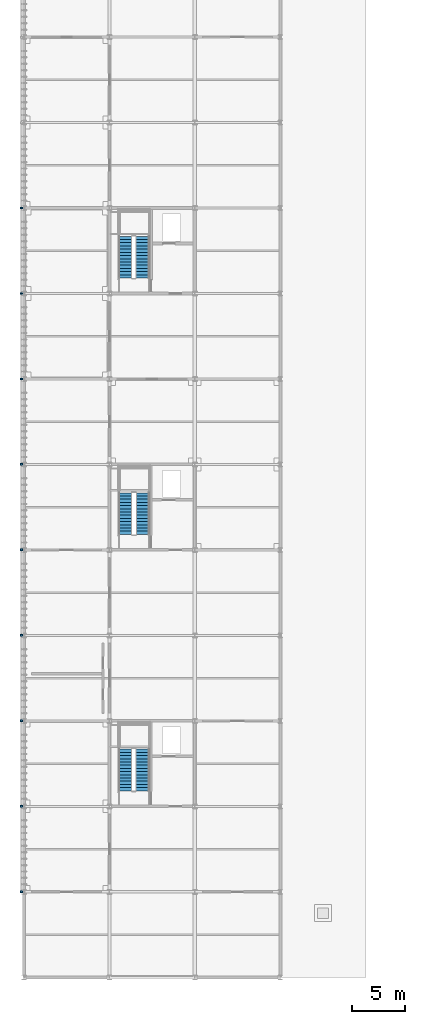
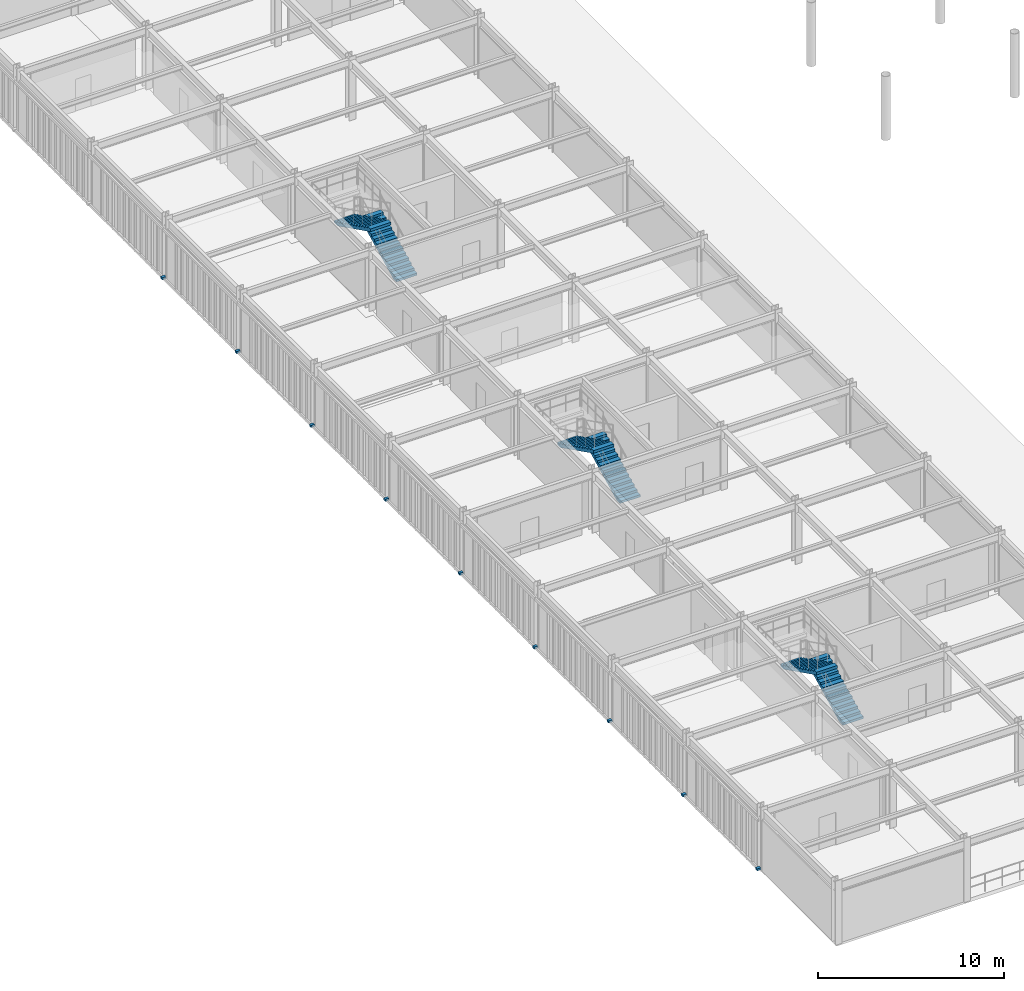
# One storey, part 46 of 54: 9 discrete accessories, 6 stair flights, 3 elements without a shape of their own.
"""IFC4 building model written with IfcOpenShell, lengths in metres."""

from ifc_helpers import new_model, si_unit, direction, frame, origin, origin_2d, place, context, subcontext, project, spatial, polyline, rectangle, outline, extrude, material, layer, layer_set, type_object, element, aggregate, save


model = new_model("IFC4")

# Units and contexts
model_context = context("Model", 3, precision=1e-05, world=origin(), true_north=direction((0.0, 1.0)))
body_context = subcontext(model_context, "Body", "Model", "MODEL_VIEW")
ifc_project = project(units=[si_unit("LENGTHUNIT", "METRE"), si_unit("AREAUNIT", "SQUARE_METRE"), si_unit("VOLUMEUNIT", "CUBIC_METRE"), si_unit("PLANEANGLEUNIT", "RADIAN"), si_unit("MASSUNIT", "GRAM", prefix="KILO")], contexts=[model_context])

# Site, building, storey
site_placement = place(None, origin())
site = spatial("IfcSite", under=ifc_project, at=site_placement, CompositionType="ELEMENT")
building_placement = place(site_placement, origin())
building = spatial("IfcBuilding", under=site, at=building_placement, Name="Haebicheon Civic Stadium", CompositionType="ELEMENT")
storey_placement = place(building_placement, frame((0.0, 0.0, 22.800048828125)))
storey = spatial("IfcBuildingStorey", under=building, at=storey_placement, Name="L06", CompositionType="ELEMENT", Elevation=22.800048828125)

# Stair, stair flights
ifc_material_1 = material(Name="Concrete C40/50", Category="concrete")
stair_type_1 = type_object("IfcStairType", Name="STR-DL-W126-H42", PredefinedType="HALF_TURN_STAIR", material=ifc_material_1)
stair_1_placement = place(storey_placement, origin())
stair_1 = element("IfcStair", 1, at=stair_1_placement, inside=storey, type_object=stair_type_1, material=ifc_material_1, Name="L06 Escape stair ST-03", PredefinedType="HALF_TURN_STAIR")
ifc_material_2 = material(Name="Concrete C40/50", Category="concrete")
stair_flight_type_1 = type_object("IfcStairFlightType", Name="STF-DL-W126-H42", PredefinedType="STRAIGHT", material=ifc_material_2)
stair_flight_1_placement = place(storey_placement, frame((35.110107421875, 81.449951171875, 0.0), z_axis=(0.0, 0.0, 1.0), x_axis=(0.0, 1.0, 0.0)))
stair_flight_1 = element("IfcStairFlight", 2, at=stair_flight_1_placement, type_object=stair_flight_type_1, material=ifc_material_2, Name="ST-03 flight 1", NumberOfRisers=14, NumberOfTreads=13, PredefinedType="STRAIGHT", RiserHeight=0.15, TreadLength=0.3, context=body_context, shape_type="SweptSolid", body=[
    extrude(outline(polyline([(0.0, 0.0), (0.0, 0.14990234375), (0.300048828125, 0.14990234375), (0.300048828125, 0.300048828125), (0.60009765625, 0.300048828125), (0.60009765625, 0.449951171875), (0.89990234375, 0.449951171875), (0.89990234375, 0.60009765625), (1.199951171875, 0.60009765625), (1.199951171875, 0.75), (1.5, 0.75), (1.5, 0.89990234375), (1.800048828125, 0.89990234375), (1.800048828125, 1.050048828125), (2.10009765625, 1.050048828125), (2.10009765625, 1.199951171875), (2.39990234375, 1.199951171875), (2.39990234375, 1.35009765625), (2.699951171875, 1.35009765625), (2.699951171875, 1.5), (3.0, 1.5), (3.0, 1.64990234375), (3.300048828125, 1.64990234375), (3.300048828125, 1.800048828125), (3.60009765625, 1.800048828125), (3.60009765625, 1.949951171875), (3.89990234375, 1.949951171875), (3.89990234375, 2.10009765625), (3.89990234375, 1.771240234375), (0.357666015625, 0.0), (0.0, 0.0)])), frame((0.0, 0.6298828125, 0.0), z_axis=(0.0, -1.0, 0.0), x_axis=(1.0, 0.0, 0.0)), (0.0, 0.0, 1.0), 1.260009765625),
])
stair_flight_2_placement = place(storey_placement, frame((33.469970703125, 85.35009765625, 2.099853515625), z_axis=(0.0, 0.0, 1.0), x_axis=(0.0, -1.0, 0.0)))
stair_flight_2 = element("IfcStairFlight", 3, at=stair_flight_2_placement, type_object=stair_flight_type_1, material=ifc_material_2, Name="ST-03 flight 2", NumberOfRisers=14, NumberOfTreads=13, PredefinedType="STRAIGHT", RiserHeight=0.15, TreadLength=0.3, context=body_context, shape_type="SweptSolid", body=[
    extrude(outline(polyline([(0.0, 0.0), (0.0, 0.14990234375), (0.300048828125, 0.14990234375), (0.300048828125, 0.300048828125), (0.60009765625, 0.300048828125), (0.60009765625, 0.449951171875), (0.89990234375, 0.449951171875), (0.89990234375, 0.60009765625), (1.199951171875, 0.60009765625), (1.199951171875, 0.75), (1.5, 0.75), (1.5, 0.89990234375), (1.800048828125, 0.89990234375), (1.800048828125, 1.050048828125), (2.10009765625, 1.050048828125), (2.10009765625, 1.199951171875), (2.39990234375, 1.199951171875), (2.39990234375, 1.35009765625), (2.699951171875, 1.35009765625), (2.699951171875, 1.5), (3.0, 1.5), (3.0, 1.64990234375), (3.300048828125, 1.64990234375), (3.300048828125, 1.800048828125), (3.60009765625, 1.800048828125), (3.60009765625, 1.949951171875), (3.89990234375, 1.949951171875), (3.89990234375, 2.10009765625), (3.89990234375, 1.771240234375), (0.357666015625, 0.0), (0.0, 0.0)])), frame((0.0, 0.6298828125, 0.0), z_axis=(0.0, -1.0, 0.0), x_axis=(1.0, 0.0, 0.0)), (0.0, 0.0, 1.0), 1.260009765625),
])
aggregate(stair_1, [stair_flight_1, stair_flight_2])

ifc_material_3 = material(Name="Concrete C40/50", Category="concrete")
stair_type_2 = type_object("IfcStairType", Name="STR-DL-W128-H42", PredefinedType="HALF_TURN_STAIR", material=ifc_material_3)
stair_2_placement = place(storey_placement, origin())
stair_2 = element("IfcStair", 4, at=stair_2_placement, inside=storey, type_object=stair_type_2, material=ifc_material_3, Name="L06 Escape stair ST-02", PredefinedType="HALF_TURN_STAIR")
ifc_material_4 = material(Name="Concrete C40/50", Category="concrete")
stair_flight_type_2 = type_object("IfcStairFlightType", Name="STF-DL-W128-H42", PredefinedType="STRAIGHT", material=ifc_material_4)
stair_flight_3_placement = place(storey_placement, frame((35.10009765625, 57.449951171875, 0.0), z_axis=(0.0, 0.0, 1.0), x_axis=(0.0, 1.0, 0.0)))
stair_flight_3 = element("IfcStairFlight", 5, at=stair_flight_3_placement, type_object=stair_flight_type_2, material=ifc_material_4, Name="ST-02 flight 1", NumberOfRisers=14, NumberOfTreads=13, PredefinedType="STRAIGHT", RiserHeight=0.15, TreadLength=0.3, context=body_context, shape_type="SweptSolid", body=[
    extrude(outline(polyline([(0.0, 0.0), (0.0, 0.14990234375), (0.300048828125, 0.14990234375), (0.300048828125, 0.300048828125), (0.60009765625, 0.300048828125), (0.60009765625, 0.449951171875), (0.89990234375, 0.449951171875), (0.89990234375, 0.60009765625), (1.199951171875, 0.60009765625), (1.199951171875, 0.75), (1.5, 0.75), (1.5, 0.89990234375), (1.800048828125, 0.89990234375), (1.800048828125, 1.050048828125), (2.10009765625, 1.050048828125), (2.10009765625, 1.199951171875), (2.39990234375, 1.199951171875), (2.39990234375, 1.35009765625), (2.699951171875, 1.35009765625), (2.699951171875, 1.5), (3.0, 1.5), (3.0, 1.64990234375), (3.300048828125, 1.64990234375), (3.300048828125, 1.800048828125), (3.60009765625, 1.800048828125), (3.60009765625, 1.949951171875), (3.89990234375, 1.949951171875), (3.89990234375, 2.10009765625), (3.89990234375, 1.771240234375), (0.357666015625, 0.0), (0.0, 0.0)])), frame((0.0, 0.64013671875, 0.0), z_axis=(0.0, -1.0, 0.0), x_axis=(1.0, 0.0, 0.0)), (0.0, 0.0, 1.0), 1.280029296875),
])
stair_flight_4_placement = place(storey_placement, frame((33.47998046875, 61.35009765625, 2.099853515625), z_axis=(0.0, 0.0, 1.0), x_axis=(0.0, -1.0, 0.0)))
stair_flight_4 = element("IfcStairFlight", 6, at=stair_flight_4_placement, type_object=stair_flight_type_2, material=ifc_material_4, Name="ST-02 flight 2", NumberOfRisers=14, NumberOfTreads=13, PredefinedType="STRAIGHT", RiserHeight=0.15, TreadLength=0.3, context=body_context, shape_type="SweptSolid", body=[
    extrude(outline(polyline([(0.0, 0.0), (0.0, 0.14990234375), (0.300048828125, 0.14990234375), (0.300048828125, 0.300048828125), (0.60009765625, 0.300048828125), (0.60009765625, 0.449951171875), (0.89990234375, 0.449951171875), (0.89990234375, 0.60009765625), (1.199951171875, 0.60009765625), (1.199951171875, 0.75), (1.5, 0.75), (1.5, 0.89990234375), (1.800048828125, 0.89990234375), (1.800048828125, 1.050048828125), (2.10009765625, 1.050048828125), (2.10009765625, 1.199951171875), (2.39990234375, 1.199951171875), (2.39990234375, 1.35009765625), (2.699951171875, 1.35009765625), (2.699951171875, 1.5), (3.0, 1.5), (3.0, 1.64990234375), (3.300048828125, 1.64990234375), (3.300048828125, 1.800048828125), (3.60009765625, 1.800048828125), (3.60009765625, 1.949951171875), (3.89990234375, 1.949951171875), (3.89990234375, 2.10009765625), (3.89990234375, 1.771240234375), (0.357666015625, 0.0), (0.0, 0.0)])), frame((0.0, 0.64013671875, 0.0), z_axis=(0.0, -1.0, 0.0), x_axis=(1.0, 0.0, 0.0)), (0.0, 0.0, 1.0), 1.280029296875),
])
aggregate(stair_2, [stair_flight_3, stair_flight_4])

stair_3_placement = place(storey_placement, origin())
stair_3 = element("IfcStair", 7, at=stair_3_placement, inside=storey, type_object=stair_type_2, material=ifc_material_3, Name="L06 Escape stair ST-04", PredefinedType="HALF_TURN_STAIR")
stair_flight_5_placement = place(storey_placement, frame((35.10009765625, 105.449951171875, 0.0), z_axis=(0.0, 0.0, 1.0), x_axis=(0.0, 1.0, 0.0)))
stair_flight_5 = element("IfcStairFlight", 8, at=stair_flight_5_placement, type_object=stair_flight_type_2, material=ifc_material_4, Name="ST-04 flight 1", NumberOfRisers=14, NumberOfTreads=13, PredefinedType="STRAIGHT", RiserHeight=0.15, TreadLength=0.3, context=body_context, shape_type="SweptSolid", body=[
    extrude(outline(polyline([(0.0, 0.0), (0.0, 0.14990234375), (0.300048828125, 0.14990234375), (0.300048828125, 0.300048828125), (0.60009765625, 0.300048828125), (0.60009765625, 0.449951171875), (0.89990234375, 0.449951171875), (0.89990234375, 0.60009765625), (1.199951171875, 0.60009765625), (1.199951171875, 0.75), (1.5, 0.75), (1.5, 0.89990234375), (1.800048828125, 0.89990234375), (1.800048828125, 1.050048828125), (2.10009765625, 1.050048828125), (2.10009765625, 1.199951171875), (2.39990234375, 1.199951171875), (2.39990234375, 1.35009765625), (2.699951171875, 1.35009765625), (2.699951171875, 1.5), (3.0, 1.5), (3.0, 1.64990234375), (3.300048828125, 1.64990234375), (3.300048828125, 1.800048828125), (3.60009765625, 1.800048828125), (3.60009765625, 1.949951171875), (3.89990234375, 1.949951171875), (3.89990234375, 2.10009765625), (3.89990234375, 1.771240234375), (0.357666015625, 0.0), (0.0, 0.0)])), frame((0.0, 0.64013671875, 0.0), z_axis=(0.0, -1.0, 0.0), x_axis=(1.0, 0.0, 0.0)), (0.0, 0.0, 1.0), 1.280029296875),
])
stair_flight_6_placement = place(storey_placement, frame((33.47998046875, 109.35009765625, 2.099853515625), z_axis=(0.0, 0.0, 1.0), x_axis=(0.0, -1.0, 0.0)))
stair_flight_6 = element("IfcStairFlight", 9, at=stair_flight_6_placement, type_object=stair_flight_type_2, material=ifc_material_4, Name="ST-04 flight 2", NumberOfRisers=14, NumberOfTreads=13, PredefinedType="STRAIGHT", RiserHeight=0.15, TreadLength=0.3, context=body_context, shape_type="SweptSolid", body=[
    extrude(outline(polyline([(0.0, 0.0), (0.0, 0.14990234375), (0.300048828125, 0.14990234375), (0.300048828125, 0.300048828125), (0.60009765625, 0.300048828125), (0.60009765625, 0.449951171875), (0.89990234375, 0.449951171875), (0.89990234375, 0.60009765625), (1.199951171875, 0.60009765625), (1.199951171875, 0.75), (1.5, 0.75), (1.5, 0.89990234375), (1.800048828125, 0.89990234375), (1.800048828125, 1.050048828125), (2.10009765625, 1.050048828125), (2.10009765625, 1.199951171875), (2.39990234375, 1.199951171875), (2.39990234375, 1.35009765625), (2.699951171875, 1.35009765625), (2.699951171875, 1.5), (3.0, 1.5), (3.0, 1.64990234375), (3.300048828125, 1.64990234375), (3.300048828125, 1.800048828125), (3.60009765625, 1.800048828125), (3.60009765625, 1.949951171875), (3.89990234375, 1.949951171875), (3.89990234375, 2.10009765625), (3.89990234375, 1.771240234375), (0.357666015625, 0.0), (0.0, 0.0)])), frame((0.0, 0.64013671875, 0.0), z_axis=(0.0, -1.0, 0.0), x_axis=(1.0, 0.0, 0.0)), (0.0, 0.0, 1.0), 1.280029296875),
])
aggregate(stair_3, [stair_flight_5, stair_flight_6])

# Discrete accessories
ifc_material_5 = material(Name="Stainless steel 316", Category="steel")
ifc_layer = layer(ifc_material_5, 0.139892578125, Name="Stainless steel 316")
ifc_layer_set = layer_set([ifc_layer], Name="Stainless steel 316")
discrete_accessory_type = type_object("IfcDiscreteAccessoryType", Name="BRK-LVR-CLEAT", PredefinedType="BRACKET", material=ifc_layer_set)
for number, where, z_axis, x_axis, name in (
    (10, (23.756103515625, 48.0, 0.009765625), (0.0, 0.0, 1.0), (1.0, 0.0, 0.0), "SCR-WEST L06 stainless bracket cleat 1A"),
    (11, (23.756103515625, 56.0, 0.009765625), (0.0, 0.0, 1.0), (1.0, 0.0, 0.0), "SCR-WEST L06 stainless bracket cleat 1B"),
    (12, (23.756103515625, 64.0, 0.009765625), (0.0, 0.0, 1.0), (1.0, 0.0, 0.0), "SCR-WEST L06 stainless bracket cleat 2B"),
    (13, (23.756103515625, 72.0, 0.009765625), (0.0, 0.0, 1.0), (1.0, 0.0, 0.0), "SCR-WEST L06 stainless bracket cleat 3B"),
    (14, (23.756103515625, 80.0, 0.009765625), (0.0, 0.0, 1.0), (1.0, 0.0, 0.0), "SCR-WEST L06 stainless bracket cleat 4B"),
    (15, (23.756103515625, 88.0, 0.009765625), (0.0, 0.0, 1.0), (1.0, 0.0, 0.0), "SCR-WEST L06 stainless bracket cleat 5B"),
    (16, (23.756103515625, 96.0, 0.009765625), (0.0, 0.0, 1.0), (1.0, 0.0, 0.0), "SCR-WEST L06 stainless bracket cleat 6B"),
    (17, (23.756103515625, 104.0, 0.009765625), (0.0, 0.0, 1.0), (1.0, 0.0, 0.0), "SCR-WEST L06 stainless bracket cleat 7B"),
    (18, (23.756103515625, 112.0, 0.009765625), (0.0, 0.0, 1.0), (1.0, 0.0, 0.0), "SCR-WEST L06 stainless bracket cleat 8B"),
):
    element("IfcDiscreteAccessory", number, at=place(storey_placement, frame(where, z_axis=z_axis, x_axis=x_axis)), inside=storey, type_object=discrete_accessory_type, material=ifc_layer_set, Name=name, PredefinedType="BRACKET", context=body_context, shape_type="SweptSolid", body=[
        extrude(rectangle(XDim=0.239990234375, YDim=0.179931640625, at=origin_2d()), origin(), (0.0, 0.0, 1.0), 0.139892578125),
    ])

save(model, "model.ifc")
